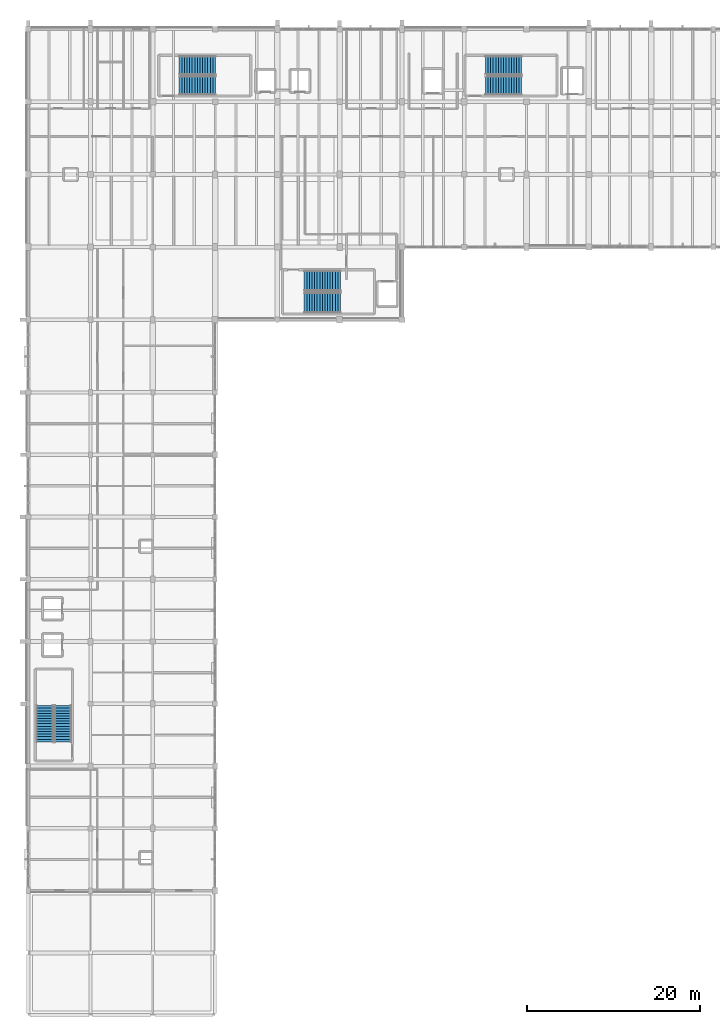
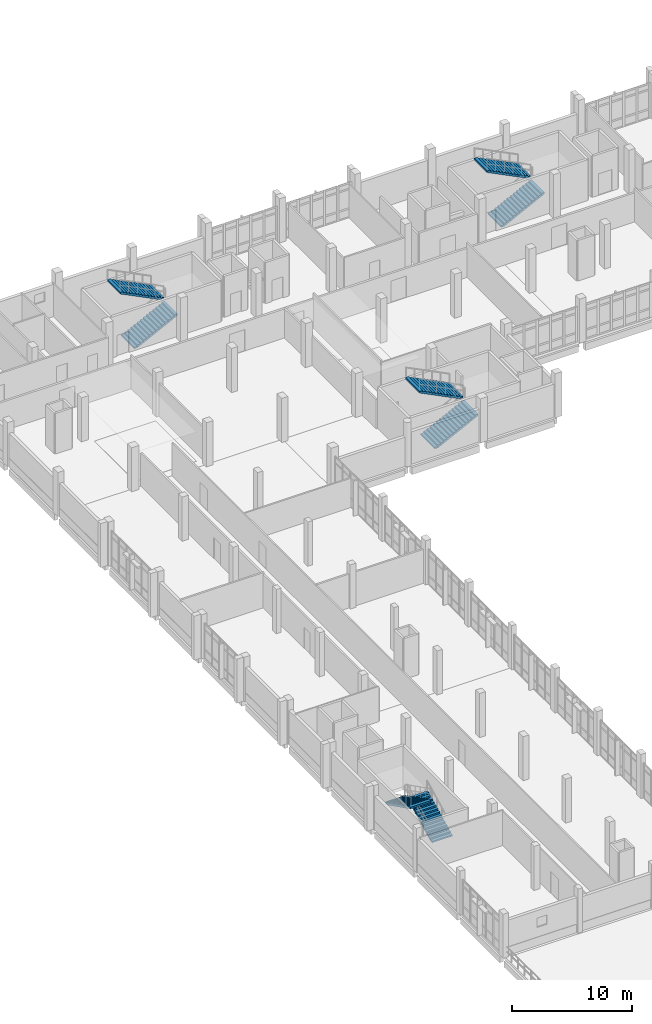
# One storey, part 52 of 57: 8 stair flights, 4 elements without a shape of their own.
"""IFC4 building model written with IfcOpenShell, lengths in metres."""

from ifc_helpers import new_model, si_unit, direction, frame, origin, place, context, subcontext, project, spatial, polyline, outline, extrude, material, type_object, element, aggregate, save


model = new_model("IFC4")

# Units and contexts
model_context = context("Model", 3, precision=1e-05, world=origin(), true_north=direction((0.0, 1.0)))
body_context = subcontext(model_context, "Body", "Model", "MODEL_VIEW")
ifc_project = project(units=[si_unit("LENGTHUNIT", "METRE"), si_unit("AREAUNIT", "SQUARE_METRE"), si_unit("VOLUMEUNIT", "CUBIC_METRE"), si_unit("PLANEANGLEUNIT", "RADIAN"), si_unit("MASSUNIT", "GRAM", prefix="KILO")], contexts=[model_context])

# Site, building, storey
site_placement = place(None, origin())
site = spatial("IfcSite", under=ifc_project, at=site_placement, CompositionType="ELEMENT")
building_placement = place(site_placement, origin())
building = spatial("IfcBuilding", under=site, at=building_placement, Name="Kalluvel Institute of Natural Sciences", CompositionType="ELEMENT")
storey_placement = place(building_placement, frame((0.0, 0.0, 23.39990234375)))
storey = spatial("IfcBuildingStorey", under=building, at=storey_placement, Name="L05", CompositionType="ELEMENT", Elevation=23.39990234375)

# Stair, stair flights
ifc_material = material(Name="Concrete M40", Category="concrete")
stair_type_1 = type_object("IfcStairType", Name="STR-ST12-45", PredefinedType="HALF_TURN_STAIR", material=ifc_material)
stair_1_placement = place(storey_placement, origin())
stair_1 = element("IfcStair", 1, at=stair_1_placement, inside=storey, type_object=stair_type_1, Name="L05 Wet Wing West Protected Exit Stair ST1", PredefinedType="HALF_TURN_STAIR")
stair_flight_type_1 = type_object("IfcStairFlightType", Name="STF-ST12-45", PredefinedType="STRAIGHT", material=ifc_material)
stair_flight_1_placement = place(storey_placement, frame((31.449951171875, 121.47998046875, 0.0), z_axis=(0.0, 0.0, 1.0), x_axis=(1.0, 0.0, 0.0)))
stair_flight_1 = element("IfcStairFlight", 2, at=stair_flight_1_placement, type_object=stair_flight_type_1, Name="S1-45 flight 1", NumberOfRisers=15, NumberOfTreads=14, PredefinedType="STRAIGHT", RiserHeight=0.15, TreadLength=0.3, context=body_context, shape_type="SweptSolid", body=[
    extrude(outline(polyline([(0.0, 0.0), (0.0, 0.14990234375), (0.300048828125, 0.14990234375), (0.300048828125, 0.300048828125), (0.60009765625, 0.300048828125), (0.60009765625, 0.449951171875), (0.89990234375, 0.449951171875), (0.89990234375, 0.60009765625), (1.199951171875, 0.60009765625), (1.199951171875, 0.75), (1.5, 0.75), (1.5, 0.89990234375), (1.800048828125, 0.89990234375), (1.800048828125, 1.050048828125), (2.10009765625, 1.050048828125), (2.10009765625, 1.199951171875), (2.39990234375, 1.199951171875), (2.39990234375, 1.35009765625), (2.699951171875, 1.35009765625), (2.699951171875, 1.5), (3.0, 1.5), (3.0, 1.64990234375), (3.300048828125, 1.64990234375), (3.300048828125, 1.800048828125), (3.60009765625, 1.800048828125), (3.60009765625, 1.949951171875), (3.89990234375, 1.949951171875), (3.89990234375, 2.10009765625), (4.199951171875, 2.10009765625), (4.199951171875, 2.25), (4.199951171875, 1.932373046875), (0.335205078125, 0.0), (0.0, 0.0)])), frame((0.0, 1.080078125, 0.0), z_axis=(0.0, -1.0, 0.0), x_axis=(1.0, 0.0, 0.0)), (0.0, 0.0, 1.0), 2.159912109375),
])
stair_flight_2_placement = place(storey_placement, frame((35.64990234375, 123.7900390625, 2.25), z_axis=(0.0, 0.0, 1.0), x_axis=(-1.0, 0.0, 0.0)))
stair_flight_2 = element("IfcStairFlight", 3, at=stair_flight_2_placement, type_object=stair_flight_type_1, Name="S1-45 flight 2", NumberOfRisers=15, NumberOfTreads=14, PredefinedType="STRAIGHT", RiserHeight=0.15, TreadLength=0.3, context=body_context, shape_type="SweptSolid", body=[
    extrude(outline(polyline([(0.0, 0.0), (0.0, 0.14990234375), (0.300048828125, 0.14990234375), (0.300048828125, 0.300048828125), (0.60009765625, 0.300048828125), (0.60009765625, 0.449951171875), (0.89990234375, 0.449951171875), (0.89990234375, 0.60009765625), (1.199951171875, 0.60009765625), (1.199951171875, 0.75), (1.5, 0.75), (1.5, 0.89990234375), (1.800048828125, 0.89990234375), (1.800048828125, 1.050048828125), (2.10009765625, 1.050048828125), (2.10009765625, 1.199951171875), (2.39990234375, 1.199951171875), (2.39990234375, 1.35009765625), (2.699951171875, 1.35009765625), (2.699951171875, 1.5), (3.0, 1.5), (3.0, 1.64990234375), (3.300048828125, 1.64990234375), (3.300048828125, 1.800048828125), (3.60009765625, 1.800048828125), (3.60009765625, 1.949951171875), (3.89990234375, 1.949951171875), (3.89990234375, 2.10009765625), (4.199951171875, 2.10009765625), (4.199951171875, 2.25), (4.199951171875, 1.932373046875), (0.335205078125, 0.0), (0.0, 0.0)])), frame((0.0, 1.080078125, 0.0), z_axis=(0.0, -1.0, 0.0), x_axis=(1.0, 0.0, 0.0)), (0.0, 0.0, 1.0), 2.159912109375),
])
aggregate(stair_1, [stair_flight_1, stair_flight_2])

stair_2_placement = place(storey_placement, origin())
stair_2 = element("IfcStair", 4, at=stair_2_placement, inside=storey, type_object=stair_type_1, Name="L05 Wet Wing East Protected Exit Stair ST2", PredefinedType="HALF_TURN_STAIR")
stair_flight_3_placement = place(storey_placement, frame((66.85009765625, 121.47998046875, 0.0), z_axis=(0.0, 0.0, 1.0), x_axis=(1.0, 0.0, 0.0)))
stair_flight_3 = element("IfcStairFlight", 5, at=stair_flight_3_placement, type_object=stair_flight_type_1, Name="S1-45 flight 1", NumberOfRisers=15, NumberOfTreads=14, PredefinedType="STRAIGHT", RiserHeight=0.15, TreadLength=0.3, context=body_context, shape_type="SweptSolid", body=[
    extrude(outline(polyline([(0.0, 0.0), (0.0, 0.14990234375), (0.300048828125, 0.14990234375), (0.300048828125, 0.300048828125), (0.60009765625, 0.300048828125), (0.60009765625, 0.449951171875), (0.89990234375, 0.449951171875), (0.89990234375, 0.60009765625), (1.199951171875, 0.60009765625), (1.199951171875, 0.75), (1.5, 0.75), (1.5, 0.89990234375), (1.800048828125, 0.89990234375), (1.800048828125, 1.050048828125), (2.10009765625, 1.050048828125), (2.10009765625, 1.199951171875), (2.39990234375, 1.199951171875), (2.39990234375, 1.35009765625), (2.699951171875, 1.35009765625), (2.699951171875, 1.5), (3.0, 1.5), (3.0, 1.64990234375), (3.300048828125, 1.64990234375), (3.300048828125, 1.800048828125), (3.60009765625, 1.800048828125), (3.60009765625, 1.949951171875), (3.89990234375, 1.949951171875), (3.89990234375, 2.10009765625), (4.199951171875, 2.10009765625), (4.199951171875, 2.25), (4.199951171875, 1.932373046875), (0.335205078125, 0.0), (0.0, 0.0)])), frame((0.0, 1.080078125, 0.0), z_axis=(0.0, -1.0, 0.0), x_axis=(1.0, 0.0, 0.0)), (0.0, 0.0, 1.0), 2.159912109375),
])
stair_flight_4_placement = place(storey_placement, frame((71.050048828125, 123.7900390625, 2.25), z_axis=(0.0, 0.0, 1.0), x_axis=(-1.0, 0.0, 0.0)))
stair_flight_4 = element("IfcStairFlight", 6, at=stair_flight_4_placement, type_object=stair_flight_type_1, Name="S1-45 flight 2", NumberOfRisers=15, NumberOfTreads=14, PredefinedType="STRAIGHT", RiserHeight=0.15, TreadLength=0.3, context=body_context, shape_type="SweptSolid", body=[
    extrude(outline(polyline([(0.0, 0.0), (0.0, 0.14990234375), (0.300048828125, 0.14990234375), (0.300048828125, 0.300048828125), (0.60009765625, 0.300048828125), (0.60009765625, 0.449951171875), (0.89990234375, 0.449951171875), (0.89990234375, 0.60009765625), (1.199951171875, 0.60009765625), (1.199951171875, 0.75), (1.5, 0.75), (1.5, 0.89990234375), (1.800048828125, 0.89990234375), (1.800048828125, 1.050048828125), (2.10009765625, 1.050048828125), (2.10009765625, 1.199951171875), (2.39990234375, 1.199951171875), (2.39990234375, 1.35009765625), (2.699951171875, 1.35009765625), (2.699951171875, 1.5), (3.0, 1.5), (3.0, 1.64990234375), (3.300048828125, 1.64990234375), (3.300048828125, 1.800048828125), (3.60009765625, 1.800048828125), (3.60009765625, 1.949951171875), (3.89990234375, 1.949951171875), (3.89990234375, 2.10009765625), (4.199951171875, 2.10009765625), (4.199951171875, 2.25), (4.199951171875, 1.932373046875), (0.335205078125, 0.0), (0.0, 0.0)])), frame((0.0, 1.080078125, 0.0), z_axis=(0.0, -1.0, 0.0), x_axis=(1.0, 0.0, 0.0)), (0.0, 0.0, 1.0), 2.159912109375),
])
aggregate(stair_2, [stair_flight_3, stair_flight_4])

stair_type_2 = type_object("IfcStairType", Name="STR-ST3-45", PredefinedType="HALF_TURN_STAIR", material=ifc_material)
stair_3_placement = place(storey_placement, origin())
stair_3 = element("IfcStair", 7, at=stair_3_placement, inside=storey, type_object=stair_type_2, Name="L05 Central Fire-Tower Protected Stair ST3", PredefinedType="HALF_TURN_STAIR")
stair_flight_type_2 = type_object("IfcStairFlightType", Name="STF-ST3-45", PredefinedType="STRAIGHT", material=ifc_material)
stair_flight_5_placement = place(storey_placement, frame((45.89990234375, 96.3798828125, 0.0), z_axis=(0.0, 0.0, 1.0), x_axis=(1.0, 0.0, 0.0)))
stair_flight_5 = element("IfcStairFlight", 8, at=stair_flight_5_placement, type_object=stair_flight_type_2, Name="S3-45 flight 1", NumberOfRisers=15, NumberOfTreads=14, PredefinedType="STRAIGHT", RiserHeight=0.15, TreadLength=0.3, context=body_context, shape_type="SweptSolid", body=[
    extrude(outline(polyline([(0.0, 0.0), (0.0, 0.14990234375), (0.300048828125, 0.14990234375), (0.300048828125, 0.300048828125), (0.60009765625, 0.300048828125), (0.60009765625, 0.449951171875), (0.89990234375, 0.449951171875), (0.89990234375, 0.60009765625), (1.199951171875, 0.60009765625), (1.199951171875, 0.75), (1.5, 0.75), (1.5, 0.89990234375), (1.800048828125, 0.89990234375), (1.800048828125, 1.050048828125), (2.10009765625, 1.050048828125), (2.10009765625, 1.199951171875), (2.39990234375, 1.199951171875), (2.39990234375, 1.35009765625), (2.699951171875, 1.35009765625), (2.699951171875, 1.5), (3.0, 1.5), (3.0, 1.64990234375), (3.300048828125, 1.64990234375), (3.300048828125, 1.800048828125), (3.60009765625, 1.800048828125), (3.60009765625, 1.949951171875), (3.89990234375, 1.949951171875), (3.89990234375, 2.10009765625), (4.199951171875, 2.10009765625), (4.199951171875, 2.25), (4.199951171875, 1.932373046875), (0.335205078125, 0.0), (0.0, 0.0)])), frame((0.0, 1.18017578125, 0.0), z_axis=(0.0, -1.0, 0.0), x_axis=(1.0, 0.0, 0.0)), (0.0, 0.0, 1.0), 2.360107421875),
])
stair_flight_6_placement = place(storey_placement, frame((50.10009765625, 98.889892578125, 2.25), z_axis=(0.0, 0.0, 1.0), x_axis=(-1.0, 0.0, 0.0)))
stair_flight_6 = element("IfcStairFlight", 9, at=stair_flight_6_placement, type_object=stair_flight_type_2, Name="S3-45 flight 2", NumberOfRisers=15, NumberOfTreads=14, PredefinedType="STRAIGHT", RiserHeight=0.15, TreadLength=0.3, context=body_context, shape_type="SweptSolid", body=[
    extrude(outline(polyline([(0.0, 0.0), (0.0, 0.14990234375), (0.300048828125, 0.14990234375), (0.300048828125, 0.300048828125), (0.60009765625, 0.300048828125), (0.60009765625, 0.449951171875), (0.89990234375, 0.449951171875), (0.89990234375, 0.60009765625), (1.199951171875, 0.60009765625), (1.199951171875, 0.75), (1.5, 0.75), (1.5, 0.89990234375), (1.800048828125, 0.89990234375), (1.800048828125, 1.050048828125), (2.10009765625, 1.050048828125), (2.10009765625, 1.199951171875), (2.39990234375, 1.199951171875), (2.39990234375, 1.35009765625), (2.699951171875, 1.35009765625), (2.699951171875, 1.5), (3.0, 1.5), (3.0, 1.64990234375), (3.300048828125, 1.64990234375), (3.300048828125, 1.800048828125), (3.60009765625, 1.800048828125), (3.60009765625, 1.949951171875), (3.89990234375, 1.949951171875), (3.89990234375, 2.10009765625), (4.199951171875, 2.10009765625), (4.199951171875, 2.25), (4.199951171875, 1.932373046875), (0.335205078125, 0.0), (0.0, 0.0)])), frame((0.0, 1.18017578125, 0.0), z_axis=(0.0, -1.0, 0.0), x_axis=(1.0, 0.0, 0.0)), (0.0, 0.0, 1.0), 2.360107421875),
])
aggregate(stair_3, [stair_flight_5, stair_flight_6])

stair_type_3 = type_object("IfcStairType", Name="STR-ST4-45", PredefinedType="HALF_TURN_STAIR", material=ifc_material)
stair_4_placement = place(storey_placement, origin())
stair_4 = element("IfcStair", 10, at=stair_4_placement, inside=storey, type_object=stair_type_3, Name="L05 Dry Wing Protected Exit Stair ST4", PredefinedType="HALF_TURN_STAIR")
stair_flight_type_3 = type_object("IfcStairFlightType", Name="STF-ST4-45", PredefinedType="STRAIGHT", material=ifc_material)
stair_flight_7_placement = place(storey_placement, frame((18.02001953125, 45.60009765625, 0.0), z_axis=(0.0, 0.0, 1.0), x_axis=(0.0, 1.0, 0.0)))
stair_flight_7 = element("IfcStairFlight", 11, at=stair_flight_7_placement, type_object=stair_flight_type_3, Name="S4-45 flight 1", NumberOfRisers=15, NumberOfTreads=14, PredefinedType="STRAIGHT", RiserHeight=0.15, TreadLength=0.3, context=body_context, shape_type="SweptSolid", body=[
    extrude(outline(polyline([(0.0, 0.0), (0.0, 0.14990234375), (0.300048828125, 0.14990234375), (0.300048828125, 0.300048828125), (0.60009765625, 0.300048828125), (0.60009765625, 0.449951171875), (0.89990234375, 0.449951171875), (0.89990234375, 0.60009765625), (1.199951171875, 0.60009765625), (1.199951171875, 0.75), (1.5, 0.75), (1.5, 0.89990234375), (1.800048828125, 0.89990234375), (1.800048828125, 1.050048828125), (2.10009765625, 1.050048828125), (2.10009765625, 1.199951171875), (2.39990234375, 1.199951171875), (2.39990234375, 1.35009765625), (2.699951171875, 1.35009765625), (2.699951171875, 1.5), (3.0, 1.5), (3.0, 1.64990234375), (3.300048828125, 1.64990234375), (3.300048828125, 1.800048828125), (3.60009765625, 1.800048828125), (3.60009765625, 1.949951171875), (3.89990234375, 1.949951171875), (3.89990234375, 2.10009765625), (4.199951171875, 2.10009765625), (4.199951171875, 2.25), (4.199951171875, 1.932373046875), (0.335205078125, 0.0), (0.0, 0.0)])), frame((0.0, 0.97998046875, 0.0), z_axis=(0.0, -1.0, 0.0), x_axis=(1.0, 0.0, 0.0)), (0.0, 0.0, 1.0), 1.9599609375),
])
stair_flight_8_placement = place(storey_placement, frame((15.909912109375, 49.800048828125, 2.25), z_axis=(0.0, 0.0, 1.0), x_axis=(0.0, -1.0, 0.0)))
stair_flight_8 = element("IfcStairFlight", 12, at=stair_flight_8_placement, type_object=stair_flight_type_3, Name="S4-45 flight 2", NumberOfRisers=15, NumberOfTreads=14, PredefinedType="STRAIGHT", RiserHeight=0.15, TreadLength=0.3, context=body_context, shape_type="SweptSolid", body=[
    extrude(outline(polyline([(0.0, 0.0), (0.0, 0.14990234375), (0.300048828125, 0.14990234375), (0.300048828125, 0.300048828125), (0.60009765625, 0.300048828125), (0.60009765625, 0.449951171875), (0.89990234375, 0.449951171875), (0.89990234375, 0.60009765625), (1.199951171875, 0.60009765625), (1.199951171875, 0.75), (1.5, 0.75), (1.5, 0.89990234375), (1.800048828125, 0.89990234375), (1.800048828125, 1.050048828125), (2.10009765625, 1.050048828125), (2.10009765625, 1.199951171875), (2.39990234375, 1.199951171875), (2.39990234375, 1.35009765625), (2.699951171875, 1.35009765625), (2.699951171875, 1.5), (3.0, 1.5), (3.0, 1.64990234375), (3.300048828125, 1.64990234375), (3.300048828125, 1.800048828125), (3.60009765625, 1.800048828125), (3.60009765625, 1.949951171875), (3.89990234375, 1.949951171875), (3.89990234375, 2.10009765625), (4.199951171875, 2.10009765625), (4.199951171875, 2.25), (4.199951171875, 1.932373046875), (0.335205078125, 0.0), (0.0, 0.0)])), frame((0.0, 0.97998046875, 0.0), z_axis=(0.0, -1.0, 0.0), x_axis=(1.0, 0.0, 0.0)), (0.0, 0.0, 1.0), 1.9599609375),
])
aggregate(stair_4, [stair_flight_7, stair_flight_8])

save(model, "model.ifc")
